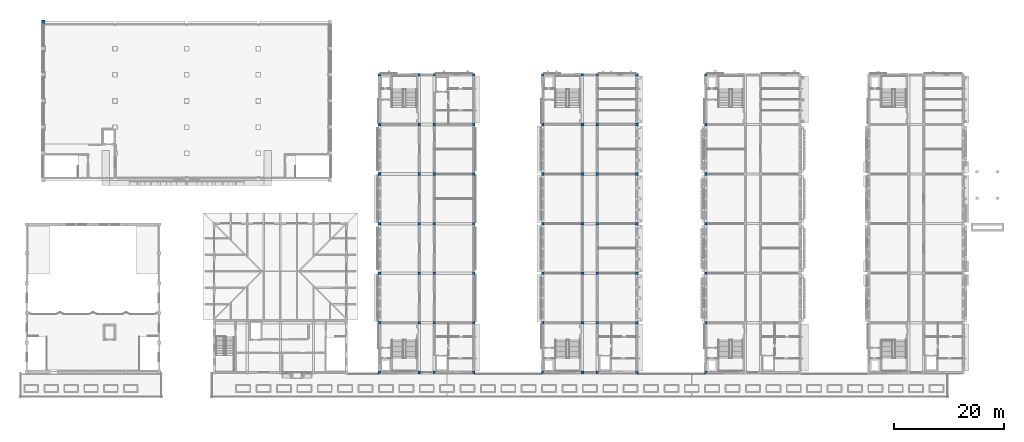
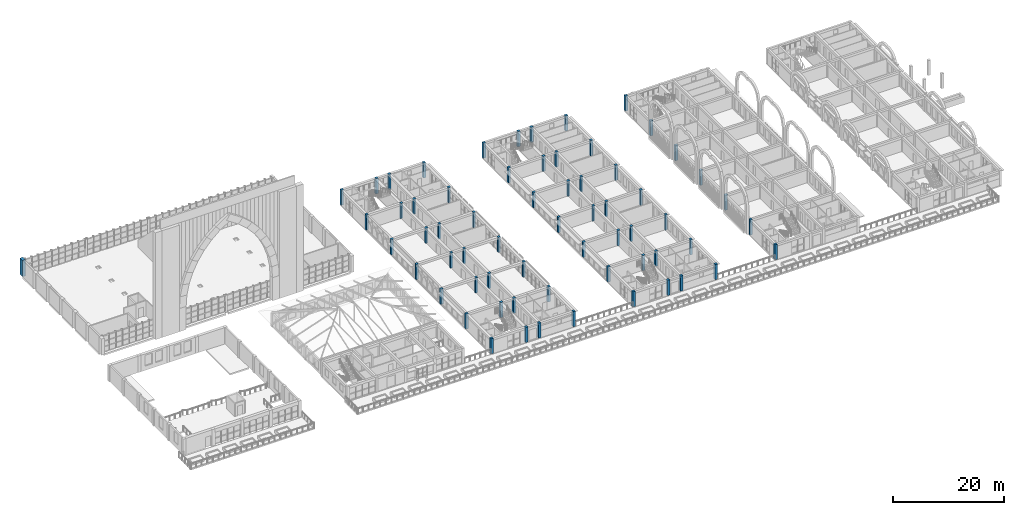
# One storey, part 4 of 82: 64 columns.
"""IFC4 building model written with IfcOpenShell, lengths in metres."""

from ifc_helpers import new_model, si_unit, direction, frame, origin, origin_2d, place, context, subcontext, project, spatial, rectangle, extrude, material, material_profile, profile_set, type_object, element, save


model = new_model("IFC4")

# Units and contexts
model_context = context("Model", 3, precision=1e-05, world=origin(), true_north=direction((0.0, 1.0)))
body_context = subcontext(model_context, "Body", "Model", "MODEL_VIEW")
ifc_project = project(units=[si_unit("LENGTHUNIT", "METRE"), si_unit("AREAUNIT", "SQUARE_METRE"), si_unit("VOLUMEUNIT", "CUBIC_METRE"), si_unit("PLANEANGLEUNIT", "RADIAN"), si_unit("MASSUNIT", "GRAM", prefix="KILO")], contexts=[model_context])

# Site, building, storey
site_placement = place(None, origin())
site = spatial("IfcSite", under=ifc_project, at=site_placement, CompositionType="ELEMENT")
building_placement = place(site_placement, origin())
building = spatial("IfcBuilding", under=site, at=building_placement, Name="Elbe Cascade School", CompositionType="ELEMENT")
storey_placement = place(building_placement, frame((0.0, 0.0, 4.5)))
storey = spatial("IfcBuildingStorey", under=building, at=storey_placement, Name="L01", CompositionType="ELEMENT", Elevation=4.5)

# Columns
ifc_material_1 = material(Name="Concrete C30/37", Category="concrete")
ifc_material_profile_1 = material_profile(ifc_material_1, rectangle(XDim=0.60009765625, YDim=0.89990234375, at=origin_2d()), Name="RC 600x900")
ifc_profile_set_1 = profile_set([ifc_material_profile_1], Name="Concrete C30/37")
column_type_1 = type_object("IfcColumnType", Name="Hall pilaster RC 600x900", PredefinedType="COLUMN", material=ifc_profile_set_1)
column_placement = place(storey_placement, frame((8.0, 69.5, 0.0), z_axis=(0.0, 0.0, 1.0), x_axis=(1.0, 0.0, 0.0)))
element("IfcColumn", 1, at=column_placement, inside=storey, type_object=column_type_1, Name="Pilaster W7", PredefinedType="COLUMN", context=body_context, shape_type="SweptSolid", body=[
    extrude(rectangle(XDim=0.60009765625, YDim=0.89990234375, at=origin_2d()), origin(), (0.0, 0.0, 1.0), 3.60009765625),
])
ifc_material_2 = material(Name="Concrete C30/37", Category="concrete")
ifc_material_profile_2 = material_profile(ifc_material_2, rectangle(XDim=0.5, YDim=0.5, at=origin_2d()), Name="RC 500x500")
ifc_profile_set_2 = profile_set([ifc_material_profile_2], Name="Concrete C30/37")
column_type_2 = type_object("IfcColumnType", Name="RC 500x500 column", PredefinedType="COLUMN", material=ifc_profile_set_2)
for number, where, z_axis, x_axis, name in (
    (2, (69.0, 6.0, 0.0), (0.0, 0.0, 1.0), (1.0, 0.0, 0.0), "RC 500x500 column C1"),
    (3, (69.0, 15.0, 0.0), (0.0, 0.0, 1.0), (1.0, 0.0, 0.0), "RC 500x500 column C1"),
    (4, (69.0, 24.0, 0.0), (0.0, 0.0, 1.0), (1.0, 0.0, 0.0), "RC 500x500 column C1"),
    (5, (69.0, 33.0, 0.0), (0.0, 0.0, 1.0), (1.0, 0.0, 0.0), "RC 500x500 column C1"),
    (6, (69.0, 42.0, 0.0), (0.0, 0.0, 1.0), (1.0, 0.0, 0.0), "RC 500x500 column C1"),
    (7, (69.0, 51.0, 0.0), (0.0, 0.0, 1.0), (1.0, 0.0, 0.0), "RC 500x500 column C1"),
    (8, (69.0, 60.0, 0.0), (0.0, 0.0, 1.0), (1.0, 0.0, 0.0), "RC 500x500 column C1"),
    (9, (76.199951171875, 6.0, 0.0), (0.0, 0.0, 1.0), (1.0, 0.0, 0.0), "RC 500x500 column C1"),
    (10, (76.199951171875, 15.0, 0.0), (0.0, 0.0, 1.0), (1.0, 0.0, 0.0), "RC 500x500 column C1"),
    (11, (76.199951171875, 24.0, 0.0), (0.0, 0.0, 1.0), (1.0, 0.0, 0.0), "RC 500x500 column C1"),
    (12, (76.199951171875, 33.0, 0.0), (0.0, 0.0, 1.0), (1.0, 0.0, 0.0), "RC 500x500 column C1"),
    (13, (76.199951171875, 42.0, 0.0), (0.0, 0.0, 1.0), (1.0, 0.0, 0.0), "RC 500x500 column C1"),
    (14, (76.199951171875, 51.0, 0.0), (0.0, 0.0, 1.0), (1.0, 0.0, 0.0), "RC 500x500 column C1"),
    (15, (76.199951171875, 60.0, 0.0), (0.0, 0.0, 1.0), (1.0, 0.0, 0.0), "RC 500x500 column C1"),
    (16, (78.89990234375, 6.0, 0.0), (0.0, 0.0, 1.0), (1.0, 0.0, 0.0), "RC 500x500 column C1"),
    (17, (78.89990234375, 15.0, 0.0), (0.0, 0.0, 1.0), (1.0, 0.0, 0.0), "RC 500x500 column C1"),
    (18, (78.89990234375, 24.0, 0.0), (0.0, 0.0, 1.0), (1.0, 0.0, 0.0), "RC 500x500 column C1"),
    (19, (78.89990234375, 33.0, 0.0), (0.0, 0.0, 1.0), (1.0, 0.0, 0.0), "RC 500x500 column C1"),
    (20, (78.89990234375, 42.0, 0.0), (0.0, 0.0, 1.0), (1.0, 0.0, 0.0), "RC 500x500 column C1"),
    (21, (78.89990234375, 51.0, 0.0), (0.0, 0.0, 1.0), (1.0, 0.0, 0.0), "RC 500x500 column C1"),
    (22, (78.89990234375, 60.0, 0.0), (0.0, 0.0, 1.0), (1.0, 0.0, 0.0), "RC 500x500 column C1"),
    (23, (86.10009765625, 6.0, 0.0), (0.0, 0.0, 1.0), (1.0, 0.0, 0.0), "RC 500x500 column C1"),
    (24, (86.10009765625, 15.0, 0.0), (0.0, 0.0, 1.0), (1.0, 0.0, 0.0), "RC 500x500 column C1"),
    (25, (86.10009765625, 24.0, 0.0), (0.0, 0.0, 1.0), (1.0, 0.0, 0.0), "RC 500x500 column C1"),
    (26, (86.10009765625, 33.0, 0.0), (0.0, 0.0, 1.0), (1.0, 0.0, 0.0), "RC 500x500 column C1"),
    (27, (86.10009765625, 42.0, 0.0), (0.0, 0.0, 1.0), (1.0, 0.0, 0.0), "RC 500x500 column C1"),
    (28, (86.10009765625, 51.0, 0.0), (0.0, 0.0, 1.0), (1.0, 0.0, 0.0), "RC 500x500 column C1"),
    (29, (86.10009765625, 60.0, 0.0), (0.0, 0.0, 1.0), (1.0, 0.0, 0.0), "RC 500x500 column C1"),
    (30, (98.60009765625, 6.0, 0.0), (0.0, 0.0, 1.0), (1.0, 0.0, 0.0), "RC 500x500 column C1"),
    (31, (98.60009765625, 15.0, 0.0), (0.0, 0.0, 1.0), (1.0, 0.0, 0.0), "RC 500x500 column C1"),
    (32, (98.60009765625, 24.0, 0.0), (0.0, 0.0, 1.0), (1.0, 0.0, 0.0), "RC 500x500 column C1"),
    (33, (98.60009765625, 33.0, 0.0), (0.0, 0.0, 1.0), (1.0, 0.0, 0.0), "RC 500x500 column C1"),
    (34, (98.60009765625, 42.0, 0.0), (0.0, 0.0, 1.0), (1.0, 0.0, 0.0), "RC 500x500 column C1"),
    (35, (98.60009765625, 51.0, 0.0), (0.0, 0.0, 1.0), (1.0, 0.0, 0.0), "RC 500x500 column C1"),
    (36, (98.60009765625, 60.0, 0.0), (0.0, 0.0, 1.0), (1.0, 0.0, 0.0), "RC 500x500 column C1"),
    (37, (105.800048828125, 6.0, 0.0), (0.0, 0.0, 1.0), (1.0, 0.0, 0.0), "RC 500x500 column C1"),
    (38, (105.800048828125, 15.0, 0.0), (0.0, 0.0, 1.0), (1.0, 0.0, 0.0), "RC 500x500 column C1"),
    (39, (105.800048828125, 24.0, 0.0), (0.0, 0.0, 1.0), (1.0, 0.0, 0.0), "RC 500x500 column C1"),
    (40, (105.800048828125, 33.0, 0.0), (0.0, 0.0, 1.0), (1.0, 0.0, 0.0), "RC 500x500 column C1"),
    (41, (105.800048828125, 42.0, 0.0), (0.0, 0.0, 1.0), (1.0, 0.0, 0.0), "RC 500x500 column C1"),
    (42, (105.800048828125, 51.0, 0.0), (0.0, 0.0, 1.0), (1.0, 0.0, 0.0), "RC 500x500 column C1"),
    (43, (105.800048828125, 60.0, 0.0), (0.0, 0.0, 1.0), (1.0, 0.0, 0.0), "RC 500x500 column C1"),
    (44, (108.5, 6.0, 0.0), (0.0, 0.0, 1.0), (1.0, 0.0, 0.0), "RC 500x500 column C1"),
    (45, (108.5, 15.0, 0.0), (0.0, 0.0, 1.0), (1.0, 0.0, 0.0), "RC 500x500 column C1"),
    (46, (108.5, 24.0, 0.0), (0.0, 0.0, 1.0), (1.0, 0.0, 0.0), "RC 500x500 column C1"),
    (47, (108.5, 33.0, 0.0), (0.0, 0.0, 1.0), (1.0, 0.0, 0.0), "RC 500x500 column C1"),
    (48, (108.5, 42.0, 0.0), (0.0, 0.0, 1.0), (1.0, 0.0, 0.0), "RC 500x500 column C1"),
    (49, (108.5, 51.0, 0.0), (0.0, 0.0, 1.0), (1.0, 0.0, 0.0), "RC 500x500 column C1"),
    (50, (108.5, 60.0, 0.0), (0.0, 0.0, 1.0), (1.0, 0.0, 0.0), "RC 500x500 column C1"),
    (51, (115.699951171875, 6.0, 0.0), (0.0, 0.0, 1.0), (1.0, 0.0, 0.0), "RC 500x500 column C1"),
    (52, (115.699951171875, 15.0, 0.0), (0.0, 0.0, 1.0), (1.0, 0.0, 0.0), "RC 500x500 column C1"),
    (53, (115.699951171875, 24.0, 0.0), (0.0, 0.0, 1.0), (1.0, 0.0, 0.0), "RC 500x500 column C1"),
    (54, (115.699951171875, 33.0, 0.0), (0.0, 0.0, 1.0), (1.0, 0.0, 0.0), "RC 500x500 column C1"),
    (55, (115.699951171875, 42.0, 0.0), (0.0, 0.0, 1.0), (1.0, 0.0, 0.0), "RC 500x500 column C1"),
    (56, (115.699951171875, 51.0, 0.0), (0.0, 0.0, 1.0), (1.0, 0.0, 0.0), "RC 500x500 column C1"),
    (57, (115.699951171875, 60.0, 0.0), (0.0, 0.0, 1.0), (1.0, 0.0, 0.0), "RC 500x500 column C1"),
    (58, (128.199951171875, 6.0, 0.0), (0.0, 0.0, 1.0), (1.0, 0.0, 0.0), "RC 500x500 column C1"),
    (59, (128.199951171875, 15.0, 0.0), (0.0, 0.0, 1.0), (1.0, 0.0, 0.0), "RC 500x500 column C1"),
    (60, (128.199951171875, 24.0, 0.0), (0.0, 0.0, 1.0), (1.0, 0.0, 0.0), "RC 500x500 column C1"),
    (61, (128.199951171875, 33.0, 0.0), (0.0, 0.0, 1.0), (1.0, 0.0, 0.0), "RC 500x500 column C1"),
    (62, (128.199951171875, 42.0, 0.0), (0.0, 0.0, 1.0), (1.0, 0.0, 0.0), "RC 500x500 column C1"),
    (63, (128.199951171875, 51.0, 0.0), (0.0, 0.0, 1.0), (1.0, 0.0, 0.0), "RC 500x500 column C1"),
    (64, (128.199951171875, 60.0, 0.0), (0.0, 0.0, 1.0), (1.0, 0.0, 0.0), "RC 500x500 column C1"),
):
    element("IfcColumn", number, at=place(storey_placement, frame(where, z_axis=z_axis, x_axis=x_axis)), inside=storey, type_object=column_type_2, Name=name, PredefinedType="COLUMN", context=body_context, shape_type="SweptSolid", body=[
        extrude(rectangle(XDim=0.5, YDim=0.5, at=origin_2d()), origin(), (0.0, 0.0, 1.0), 3.35009765625),
    ])

save(model, "model.ifc")
